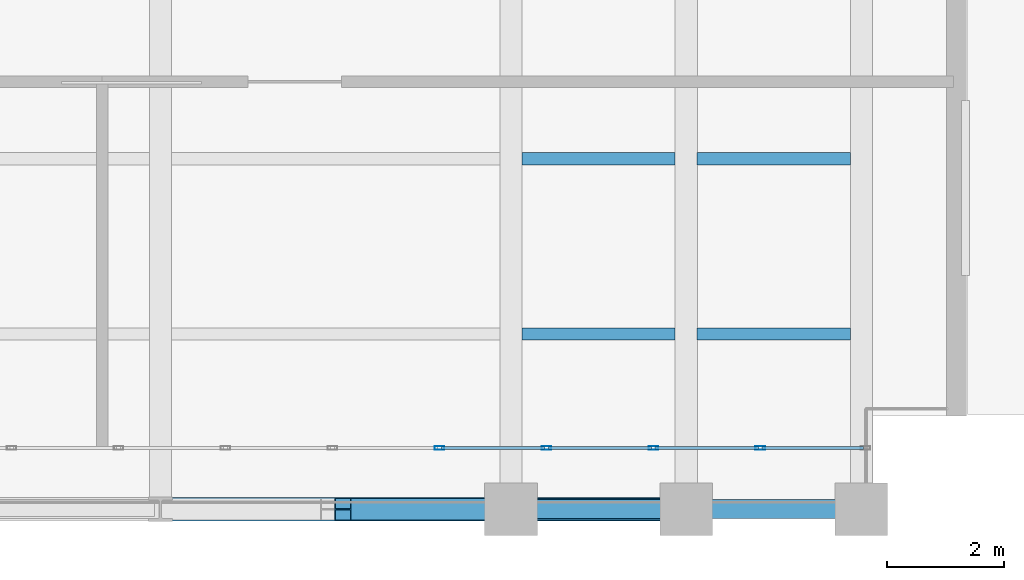
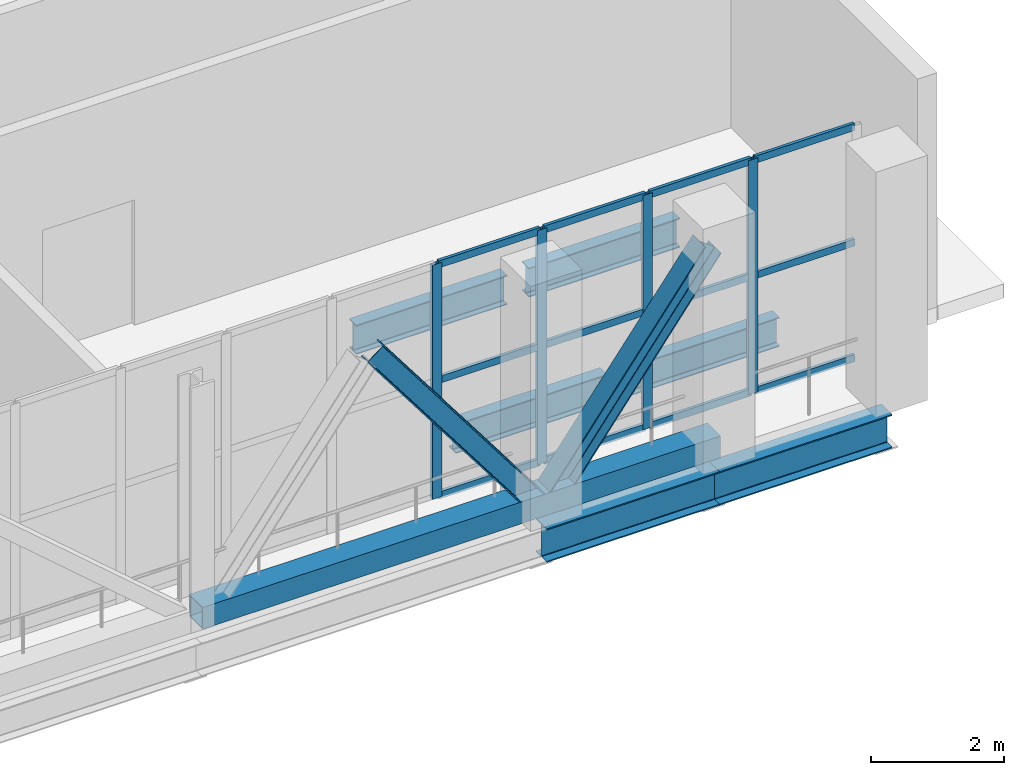
# One storey, part 13 of 26: 19 members, 6 beams, 1 element without a shape of its own.
"""IFC4 building model written with IfcOpenShell, lengths in metres."""

from ifc_helpers import new_model, si_unit, direction, frame, origin, origin_2d, place, context, subcontext, project, spatial, hollow_rectangle, i_section, extrude, material, layer, layer_set, material_profile, profile_set, type_object, element, aggregate, save


model = new_model("IFC4")

# Units and contexts
model_context = context("Model", 3, precision=1e-05, world=origin(), true_north=direction((0.0, 1.0)))
body_context = subcontext(model_context, "Body", "Model", "MODEL_VIEW")
ifc_project = project(units=[si_unit("LENGTHUNIT", "METRE"), si_unit("AREAUNIT", "SQUARE_METRE"), si_unit("VOLUMEUNIT", "CUBIC_METRE"), si_unit("PLANEANGLEUNIT", "RADIAN"), si_unit("MASSUNIT", "GRAM", prefix="KILO")], contexts=[model_context])

# Site, building, storey
site_placement = place(None, origin())
site = spatial("IfcSite", under=ifc_project, at=site_placement, CompositionType="ELEMENT")
building_placement = place(site_placement, origin())
building = spatial("IfcBuilding", under=site, at=building_placement, Name="Mawjdan Bourse Tower", CompositionType="ELEMENT")
storey_placement = place(building_placement, frame((0.0, 0.0, 226.800048828125)))
storey = spatial("IfcBuildingStorey", under=building, at=storey_placement, Name="L55", CompositionType="ELEMENT", Elevation=226.800048828125)

# Members
ifc_material_1 = material(Name="Structural Steel S460", Category="steel")
ifc_material_profile_1 = material_profile(ifc_material_1, i_section(OverallWidth=0.3701171875, OverallDepth=0.360107421875, WebThickness=0.01220703125, FlangeThickness=0.019775390625, FilletRadius=0.015869140625, at=origin_2d()), Name="W14X99")
ifc_profile_set_1 = profile_set([ifc_material_profile_1], Name="Structural Steel S460")
member_type_1 = type_object("IfcMemberType", Name="BRC-W14X99", PredefinedType="BRACE", material=ifc_profile_set_1)
for number, where, z_axis, x_axis, name in (
    (1, (45.1201171875, 3.0, 3.849853515625), (0.6031198666, 0.0, -0.797650566672), (0.0, 1.0, 0.0), "L55 South Perimeter Belt Truss Diagonal 2"),
    (2, (48.1201171875, 3.0, 0.199951171875), (0.6031198666, 0.0, 0.797650566672), (0.0, 1.0, 0.0), "L55 South Perimeter Belt Truss Diagonal 3"),
):
    element("IfcMember", number, at=place(storey_placement, frame(where, z_axis=z_axis, x_axis=x_axis)), inside=storey, type_object=member_type_1, Name=name, PredefinedType="BRACE", context=body_context, shape_type="SweptSolid", body=[
        extrude(i_section(OverallWidth=0.3701171875, OverallDepth=0.360107421875, WebThickness=0.01220703125, FlangeThickness=0.019775390625, FilletRadius=0.015869140625, at=origin_2d()), origin(), (0.0, 0.0, 1.0), 4.575927734375),
    ])
ifc_material_profile_2 = material_profile(ifc_material_1, hollow_rectangle(XDim=0.39990234375, YDim=0.39990234375, WallThickness=0.01611328125, at=origin_2d()), Name="HSS400X400X16")
ifc_profile_set_2 = profile_set([ifc_material_profile_2], Name="Structural Steel S460")
member_type_2 = type_object("IfcMemberType", Name="CHD-HSS400X400X16", PredefinedType="CHORD", material=ifc_profile_set_2)
member_1_placement = place(storey_placement, frame((42.0, 3.0, 0.199951171875), z_axis=(1.0, 0.0, 0.0), x_axis=(0.0, 1.0, 0.0)))
element("IfcMember", 3, at=member_1_placement, inside=storey, type_object=member_type_2, Name="L55 South Perimeter Belt Truss Bottom Chord", PredefinedType="CHORD", context=body_context, shape_type="SweptSolid", body=[
    extrude(hollow_rectangle(XDim=0.39990234375, YDim=0.39990234375, WallThickness=0.01611328125, at=origin_2d()), origin(), (0.0, 0.0, 1.0), 9.0),
])

# Beams
ifc_material_2 = material(Name="Structural Steel S355", Category="steel")
ifc_material_profile_3 = material_profile(ifc_material_2, i_section(OverallWidth=0.2099609375, OverallDepth=0.537109375, WebThickness=0.010986328125, FlangeThickness=0.017333984375, FilletRadius=0.013916015625, at=origin_2d()), Name="W21X68")
ifc_profile_set_3 = profile_set([ifc_material_profile_3], Name="Structural Steel S355")
beam_type_1 = type_object("IfcBeamType", Name="JST-W21X68", PredefinedType="JOIST", material=ifc_profile_set_3)
for number, where, z_axis, x_axis, name in (
    (4, (48.1884765625, 6.0, -0.548583984375), (1.0, 0.0, 0.0), (0.0, 1.0, 0.0), "L55 East Wing Composite Joist 020"),
    (5, (51.1884765625, 6.0, -0.548583984375), (1.0, 0.0, 0.0), (0.0, 1.0, 0.0), "L55 East Wing Composite Joist 021"),
    (6, (48.1884765625, 9.0, -0.548583984375), (1.0, 0.0, 0.0), (0.0, 1.0, 0.0), "L55 East Wing Composite Joist 025"),
    (7, (51.1884765625, 9.0, -0.548583984375), (1.0, 0.0, 0.0), (0.0, 1.0, 0.0), "L55 East Wing Composite Joist 026"),
):
    element("IfcBeam", number, at=place(storey_placement, frame(where, z_axis=z_axis, x_axis=x_axis)), inside=storey, type_object=beam_type_1, Name=name, PredefinedType="JOIST", context=body_context, shape_type="SweptSolid", body=[
        extrude(i_section(OverallWidth=0.2099609375, OverallDepth=0.537109375, WebThickness=0.010986328125, FlangeThickness=0.017333984375, FilletRadius=0.013916015625, at=origin_2d()), origin(), (0.0, 0.0, 1.0), 2.623046875),
    ])

# Curtain wall, members
ifc_material_3 = material(Name="Thermally Broken Aluminium and Solar Glass", Category="aluminium")
ifc_layer = layer(ifc_material_3, 0.219970703125)
ifc_layer_set = layer_set([ifc_layer], Name="Thermally Broken Aluminium and Solar Glass")
curtain_wall_type = type_object("IfcCurtainWallType", Name="CW-RFG", PredefinedType="USERDEFINED", material=ifc_layer_set)
curtain_wall_placement = place(storey_placement, origin())
curtain_wall = element("IfcCurtainWall", 8, at=curtain_wall_placement, inside=storey, type_object=curtain_wall_type, Name="L55 Refuge Band South Louvre Curtain Wall", ObjectType="REFUGE BAND LOUVRE SCREEN", PredefinedType="USERDEFINED")
ifc_material_4 = material(Name="Thermally Broken Anodised Aluminium", Category="aluminium")
ifc_material_profile_4 = material_profile(ifc_material_4, hollow_rectangle(XDim=0.06494140625, YDim=0.1650390625, WallThickness=0.00390625, at=origin_2d()), Name="ALU-MUL-165X65")
ifc_profile_set_4 = profile_set([ifc_material_profile_4], Name="Thermally Broken Anodised Aluminium")
member_type_3 = type_object("IfcMemberType", Name="MUL-ALU-MUL-165X65", PredefinedType="MULLION", material=ifc_profile_set_4)
member_2_placement = place(storey_placement, frame((46.77490234375, 4.050048828125, 0.0), z_axis=(0.0, 0.0, 1.0), x_axis=(0.0, 1.0, 0.0)))
member_2 = element("IfcMember", 9, at=member_2_placement, type_object=member_type_3, Name="CW-RFG-L55-RFG-S mullion 13", PredefinedType="MULLION", context=body_context, shape_type="SweptSolid", body=[
    extrude(hollow_rectangle(XDim=0.06494140625, YDim=0.1650390625, WallThickness=0.00390625, at=origin_2d()), origin(), (0.0, 0.0, 1.0), 4.300048828125),
])
member_3_placement = place(storey_placement, frame((48.606201171875, 4.050048828125, 0.0), z_axis=(0.0, 0.0, 1.0), x_axis=(0.0, 1.0, 0.0)))
member_3 = element("IfcMember", 10, at=member_3_placement, type_object=member_type_3, Name="CW-RFG-L55-RFG-S mullion 14", PredefinedType="MULLION", context=body_context, shape_type="SweptSolid", body=[
    extrude(hollow_rectangle(XDim=0.06494140625, YDim=0.1650390625, WallThickness=0.00390625, at=origin_2d()), origin(), (0.0, 0.0, 1.0), 4.300048828125),
])
member_4_placement = place(storey_placement, frame((50.4375, 4.050048828125, 0.0), z_axis=(0.0, 0.0, 1.0), x_axis=(0.0, 1.0, 0.0)))
member_4 = element("IfcMember", 11, at=member_4_placement, type_object=member_type_3, Name="CW-RFG-L55-RFG-S mullion 15", PredefinedType="MULLION", context=body_context, shape_type="SweptSolid", body=[
    extrude(hollow_rectangle(XDim=0.06494140625, YDim=0.1650390625, WallThickness=0.00390625, at=origin_2d()), origin(), (0.0, 0.0, 1.0), 4.300048828125),
])
member_5_placement = place(storey_placement, frame((52.268798828125, 4.050048828125, 0.0), z_axis=(0.0, 0.0, 1.0), x_axis=(0.0, 1.0, 0.0)))
member_5 = element("IfcMember", 12, at=member_5_placement, type_object=member_type_3, Name="CW-RFG-L55-RFG-S mullion 16", PredefinedType="MULLION", context=body_context, shape_type="SweptSolid", body=[
    extrude(hollow_rectangle(XDim=0.06494140625, YDim=0.1650390625, WallThickness=0.00390625, at=origin_2d()), origin(), (0.0, 0.0, 1.0), 4.300048828125),
])

# Beams
ifc_material_profile_5 = material_profile(ifc_material_2, i_section(OverallWidth=0.324951171875, OverallDepth=0.616943359375, WebThickness=0.013916015625, FlangeThickness=0.021484375, FilletRadius=0.017333984375, at=origin_2d()), Name="W24X117")
ifc_profile_set_5 = profile_set([ifc_material_profile_5], Name="Structural Steel S355")
beam_type_2 = type_object("IfcBeamType", Name="SPN-W24X117", PredefinedType="SPANDREL", material=ifc_profile_set_5)
for number, where, z_axis, x_axis, name in (
    (13, (48.0, 3.0, -0.588623046875), (1.0, 0.0, 0.0), (0.0, 1.0, 0.0), "L55 Perimeter Masonry-Shelf Spandrel 010"),
    (14, (51.0, 3.0, -0.588623046875), (1.0, 0.0, 0.0), (0.0, 1.0, 0.0), "L55 Perimeter Masonry-Shelf Spandrel 011"),
):
    element("IfcBeam", number, at=place(storey_placement, frame(where, z_axis=z_axis, x_axis=x_axis)), inside=storey, type_object=beam_type_2, Name=name, PredefinedType="SPANDREL", context=body_context, shape_type="SweptSolid", body=[
        extrude(i_section(OverallWidth=0.324951171875, OverallDepth=0.616943359375, WebThickness=0.013916015625, FlangeThickness=0.021484375, FilletRadius=0.017333984375, at=origin_2d()), origin(), (0.0, 0.0, 1.0), 3.0),
    ])

# Member
ifc_material_profile_6 = material_profile(ifc_material_4, hollow_rectangle(XDim=0.054931640625, YDim=0.1298828125, WallThickness=0.00341796875, at=origin_2d()), Name="ALU-TRN-130X55")
ifc_profile_set_6 = profile_set([ifc_material_profile_6], Name="Thermally Broken Anodised Aluminium")
member_type_4 = type_object("IfcMemberType", Name="TRN-ALU-TRN-130X55", PredefinedType="USERDEFINED", material=ifc_profile_set_6)
member_6_placement = place(storey_placement, frame((46.8076171875, 4.050048828125, 0.02734375), z_axis=(1.0, 0.0, 0.0), x_axis=(0.0, 1.0, 0.0)))
member_6 = element("IfcMember", 15, at=member_6_placement, type_object=member_type_4, Name="CW-RFG-L55-RFG-S transom 13.1", ObjectType="TRANSOM", PredefinedType="USERDEFINED", context=body_context, shape_type="SweptSolid", body=[
    extrude(hollow_rectangle(XDim=0.054931640625, YDim=0.1298828125, WallThickness=0.00341796875, at=origin_2d()), origin(), (0.0, 0.0, 1.0), 1.76611328125),
])

member_7_placement = place(storey_placement, frame((46.8076171875, 4.050048828125, 2.14990234375), z_axis=(1.0, 0.0, 0.0), x_axis=(0.0, 1.0, 0.0)))
member_7 = element("IfcMember", 16, at=member_7_placement, type_object=member_type_4, Name="CW-RFG-L55-RFG-S transom 13.2", ObjectType="TRANSOM", PredefinedType="USERDEFINED", context=body_context, shape_type="SweptSolid", body=[
    extrude(hollow_rectangle(XDim=0.054931640625, YDim=0.1298828125, WallThickness=0.00341796875, at=origin_2d()), origin(), (0.0, 0.0, 1.0), 1.76611328125),
])

member_8_placement = place(storey_placement, frame((46.8076171875, 4.050048828125, 4.2724609375), z_axis=(1.0, 0.0, 0.0), x_axis=(0.0, 1.0, 0.0)))
member_8 = element("IfcMember", 17, at=member_8_placement, type_object=member_type_4, Name="CW-RFG-L55-RFG-S transom 13.3", ObjectType="TRANSOM", PredefinedType="USERDEFINED", context=body_context, shape_type="SweptSolid", body=[
    extrude(hollow_rectangle(XDim=0.054931640625, YDim=0.1298828125, WallThickness=0.00341796875, at=origin_2d()), origin(), (0.0, 0.0, 1.0), 1.76611328125),
])

member_9_placement = place(storey_placement, frame((48.638671875, 4.050048828125, 0.02734375), z_axis=(1.0, 0.0, 0.0), x_axis=(0.0, 1.0, 0.0)))
member_9 = element("IfcMember", 18, at=member_9_placement, type_object=member_type_4, Name="CW-RFG-L55-RFG-S transom 14.1", ObjectType="TRANSOM", PredefinedType="USERDEFINED", context=body_context, shape_type="SweptSolid", body=[
    extrude(hollow_rectangle(XDim=0.054931640625, YDim=0.1298828125, WallThickness=0.00341796875, at=origin_2d()), origin(), (0.0, 0.0, 1.0), 1.766357421875),
])

member_10_placement = place(storey_placement, frame((48.638671875, 4.050048828125, 2.14990234375), z_axis=(1.0, 0.0, 0.0), x_axis=(0.0, 1.0, 0.0)))
member_10 = element("IfcMember", 19, at=member_10_placement, type_object=member_type_4, Name="CW-RFG-L55-RFG-S transom 14.2", ObjectType="TRANSOM", PredefinedType="USERDEFINED", context=body_context, shape_type="SweptSolid", body=[
    extrude(hollow_rectangle(XDim=0.054931640625, YDim=0.1298828125, WallThickness=0.00341796875, at=origin_2d()), origin(), (0.0, 0.0, 1.0), 1.766357421875),
])

member_11_placement = place(storey_placement, frame((48.638671875, 4.050048828125, 4.2724609375), z_axis=(1.0, 0.0, 0.0), x_axis=(0.0, 1.0, 0.0)))
member_11 = element("IfcMember", 20, at=member_11_placement, type_object=member_type_4, Name="CW-RFG-L55-RFG-S transom 14.3", ObjectType="TRANSOM", PredefinedType="USERDEFINED", context=body_context, shape_type="SweptSolid", body=[
    extrude(hollow_rectangle(XDim=0.054931640625, YDim=0.1298828125, WallThickness=0.00341796875, at=origin_2d()), origin(), (0.0, 0.0, 1.0), 1.766357421875),
])

member_12_placement = place(storey_placement, frame((50.469970703125, 4.050048828125, 0.02734375), z_axis=(1.0, 0.0, 0.0), x_axis=(0.0, 1.0, 0.0)))
member_12 = element("IfcMember", 21, at=member_12_placement, type_object=member_type_4, Name="CW-RFG-L55-RFG-S transom 15.1", ObjectType="TRANSOM", PredefinedType="USERDEFINED", context=body_context, shape_type="SweptSolid", body=[
    extrude(hollow_rectangle(XDim=0.054931640625, YDim=0.1298828125, WallThickness=0.00341796875, at=origin_2d()), origin(), (0.0, 0.0, 1.0), 1.766357421875),
])

member_13_placement = place(storey_placement, frame((50.469970703125, 4.050048828125, 2.14990234375), z_axis=(1.0, 0.0, 0.0), x_axis=(0.0, 1.0, 0.0)))
member_13 = element("IfcMember", 22, at=member_13_placement, type_object=member_type_4, Name="CW-RFG-L55-RFG-S transom 15.2", ObjectType="TRANSOM", PredefinedType="USERDEFINED", context=body_context, shape_type="SweptSolid", body=[
    extrude(hollow_rectangle(XDim=0.054931640625, YDim=0.1298828125, WallThickness=0.00341796875, at=origin_2d()), origin(), (0.0, 0.0, 1.0), 1.766357421875),
])

member_14_placement = place(storey_placement, frame((50.469970703125, 4.050048828125, 4.2724609375), z_axis=(1.0, 0.0, 0.0), x_axis=(0.0, 1.0, 0.0)))
member_14 = element("IfcMember", 23, at=member_14_placement, type_object=member_type_4, Name="CW-RFG-L55-RFG-S transom 15.3", ObjectType="TRANSOM", PredefinedType="USERDEFINED", context=body_context, shape_type="SweptSolid", body=[
    extrude(hollow_rectangle(XDim=0.054931640625, YDim=0.1298828125, WallThickness=0.00341796875, at=origin_2d()), origin(), (0.0, 0.0, 1.0), 1.766357421875),
])

member_15_placement = place(storey_placement, frame((52.30126953125, 4.050048828125, 0.02734375), z_axis=(1.0, 0.0, 0.0), x_axis=(0.0, 1.0, 0.0)))
member_15 = element("IfcMember", 24, at=member_15_placement, type_object=member_type_4, Name="CW-RFG-L55-RFG-S transom 16.1", ObjectType="TRANSOM", PredefinedType="USERDEFINED", context=body_context, shape_type="SweptSolid", body=[
    extrude(hollow_rectangle(XDim=0.054931640625, YDim=0.1298828125, WallThickness=0.00341796875, at=origin_2d()), origin(), (0.0, 0.0, 1.0), 1.733642578125),
])

member_16_placement = place(storey_placement, frame((52.30126953125, 4.050048828125, 2.14990234375), z_axis=(1.0, 0.0, 0.0), x_axis=(0.0, 1.0, 0.0)))
member_16 = element("IfcMember", 25, at=member_16_placement, type_object=member_type_4, Name="CW-RFG-L55-RFG-S transom 16.2", ObjectType="TRANSOM", PredefinedType="USERDEFINED", context=body_context, shape_type="SweptSolid", body=[
    extrude(hollow_rectangle(XDim=0.054931640625, YDim=0.1298828125, WallThickness=0.00341796875, at=origin_2d()), origin(), (0.0, 0.0, 1.0), 1.733642578125),
])

member_17_placement = place(storey_placement, frame((52.30126953125, 4.050048828125, 4.2724609375), z_axis=(1.0, 0.0, 0.0), x_axis=(0.0, 1.0, 0.0)))
member_17 = element("IfcMember", 26, at=member_17_placement, type_object=member_type_4, Name="CW-RFG-L55-RFG-S transom 16.3", ObjectType="TRANSOM", PredefinedType="USERDEFINED", context=body_context, shape_type="SweptSolid", body=[
    extrude(hollow_rectangle(XDim=0.054931640625, YDim=0.1298828125, WallThickness=0.00341796875, at=origin_2d()), origin(), (0.0, 0.0, 1.0), 1.733642578125),
])

aggregate(curtain_wall, [member_2, member_3, member_4, member_5, member_6, member_7, member_8, member_9, member_10, member_11, member_12, member_13, member_14, member_15, member_16, member_17])

save(model, "model.ifc")
